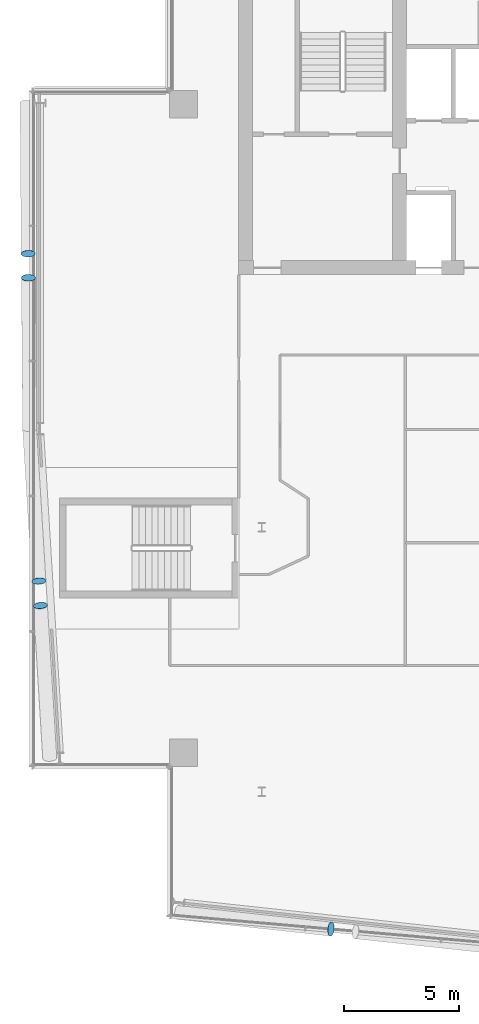
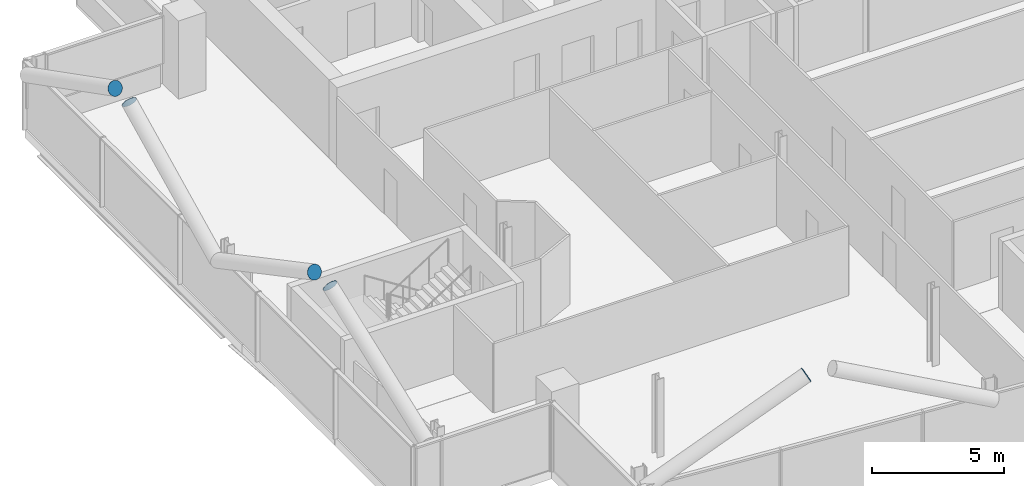
# One storey, part 20 of 25: 5 discrete accessories.
"""IFC4 building model written with IfcOpenShell, lengths in metres."""

from ifc_helpers import new_model, si_unit, direction, frame, origin, origin_2d, place, context, subcontext, project, spatial, circle, extrude, material, material_profile, profile_set, type_object, element, save


model = new_model("IFC4")

# Units and contexts
model_context = context("Model", 3, precision=1e-05, world=origin(), true_north=direction((0.0, 1.0)))
body_context = subcontext(model_context, "Body", "Model", "MODEL_VIEW")
ifc_project = project(units=[si_unit("LENGTHUNIT", "METRE"), si_unit("AREAUNIT", "SQUARE_METRE"), si_unit("VOLUMEUNIT", "CUBIC_METRE"), si_unit("PLANEANGLEUNIT", "RADIAN"), si_unit("MASSUNIT", "GRAM", prefix="KILO")], contexts=[model_context])

# Site, building, storey
site_placement = place(None, origin())
site = spatial("IfcSite", under=ifc_project, at=site_placement, CompositionType="ELEMENT")
building_placement = place(site_placement, origin())
building = spatial("IfcBuilding", under=site, at=building_placement, Name="Wharfspan Tower", CompositionType="ELEMENT")
storey_placement = place(building_placement, frame((0.0, 0.0, 225.100098)))
storey = spatial("IfcBuildingStorey", under=building, at=storey_placement, Name="L56", CompositionType="ELEMENT", Elevation=225.100098)

# Discrete accessories
ifc_material = material(Name="Steel S460NH", Category="steel")
ifc_material_profile = material_profile(ifc_material, circle(Radius=0.304932, at=origin_2d()))
ifc_profile_set = profile_set([ifc_material_profile], Name="Steel S460NH")
discrete_accessory_type = type_object("IfcDiscreteAccessoryType", Name="End plate CHS 610x25", PredefinedType="BRACKET", material=ifc_profile_set)
discrete_accessory_1_placement = place(storey_placement, frame((27.005371, 5.52832, 6.22876), z_axis=(0.895016, -0.096758, 0.435413), x_axis=(0.107482, 0.994209, -1e-06)))
element("IfcDiscreteAccessory", 1, at=discrete_accessory_1_placement, inside=storey, type_object=discrete_accessory_type, Name="End plate CHS 610x25", PredefinedType="BRACKET", context=body_context, shape_type="SweptSolid", body=[
    extrude(circle(Radius=0.304932, at=origin_2d()), origin(), (0.0, 0.0, 1.0), 0.01001),
])
discrete_accessory_2_placement = place(storey_placement, frame((13.844727, 34.910645, 6.22998), z_axis=(0.024035, -0.88931, 0.456673), x_axis=(0.999631, 0.027015, -3e-06)))
element("IfcDiscreteAccessory", 2, at=discrete_accessory_2_placement, inside=storey, type_object=discrete_accessory_type, Name="End plate CHS 610x25", PredefinedType="BRACKET", context=body_context, shape_type="SweptSolid", body=[
    extrude(circle(Radius=0.304932, at=origin_2d()), origin(), (0.0, 0.0, 1.0), 0.010254),
])
for number, where, z_axis, x_axis, name in (
    (3, (13.853271, 33.849121, 6.22998), (0.0, 0.884385, 0.466759), (-1.0, 0.0, 0.0), "End plate CHS 610x25"),
    (4, (14.310791, 20.670654, 6.229248), (0.072718, -0.896854, 0.436308), (0.996729, 0.080815, -2e-06), "End plate CHS 610x25"),
    (5, (14.376953, 19.592773, 6.229248), (-0.072718, 0.896854, 0.436308), (-0.996729, -0.080815, -2e-06), "End plate CHS 610x25"),
):
    element("IfcDiscreteAccessory", number, at=place(storey_placement, frame(where, z_axis=z_axis, x_axis=x_axis)), inside=storey, type_object=discrete_accessory_type, Name=name, PredefinedType="BRACKET", context=body_context, shape_type="SweptSolid", body=[
        extrude(circle(Radius=0.304932, at=origin_2d()), origin(), (0.0, 0.0, 1.0), 0.01001),
    ])

save(model, "model.ifc")
